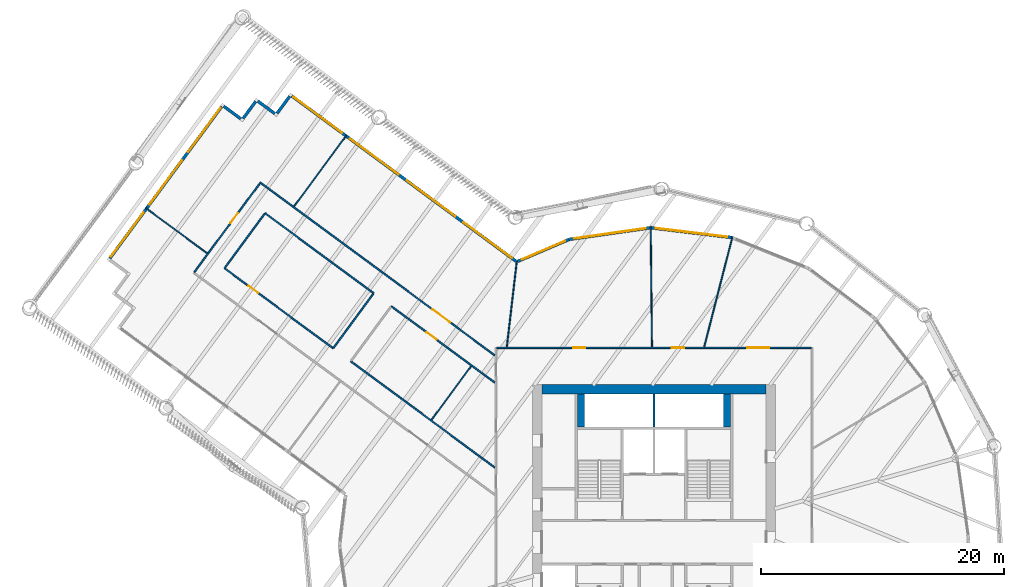
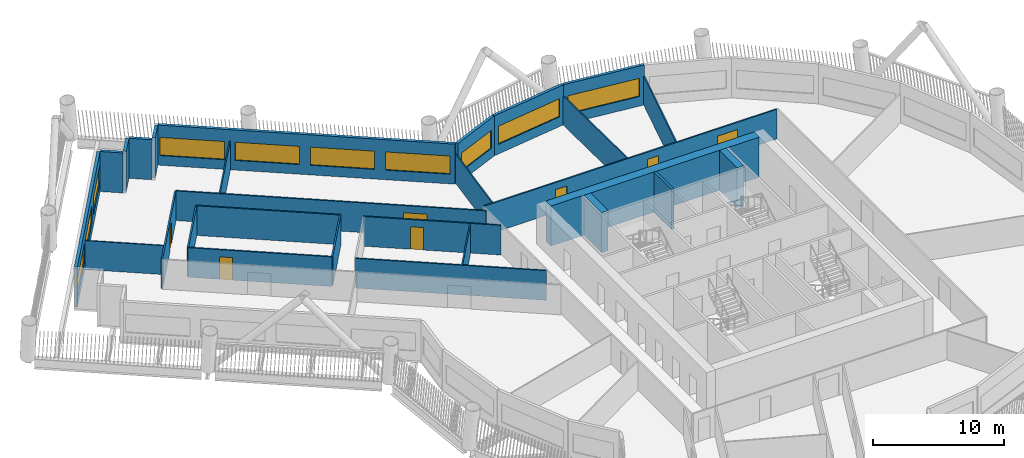
# One storey, part 7 of 23: 28 walls, 10 windows, 7 doors, 17 openings.
"""IFC4 building model written with IfcOpenShell, lengths in metres."""

import ifcopenshell
import ifcopenshell.guid

model = None  # the IFC model being written
_history = None  # IfcOwnerHistory: only IFC2X3 demands one
_inside = {}  # id of a spatial element -> (the spatial element, [elements in it])
_under = {}  # id of a project, library or spatial element -> (it, [spatial elements below it])
_declared = {}  # id of a project -> (the project, [libraries it declares])
_typed = {}  # id of a type object -> (the type object, [elements of that type])
_made_of = {}  # id of a material, layer set ... -> (it, [elements and type objects made of it])


def new_model(schema):
    """Start an empty IFC model of exactly this schema.

    Asked for "IFC4X3", IfcOpenShell would pick the latest addendum, in which some entities
    have other attributes; the version numbers below select the first issue.
    IFC2X3 requires an IfcOwnerHistory on every rooted entity: one is made here for all.
    """
    global model, _history
    if schema == "IFC4X3":
        model = ifcopenshell.file(schema_version=(4, 3, 0, 0))
    else:
        model = ifcopenshell.file(schema=schema)
    _inside.clear()
    _under.clear()
    _declared.clear()
    _typed.clear()
    _made_of.clear()
    _history = None
    if model.schema == "IFC2X3":
        org = make("IfcOrganization", Name="unknown")
        user = make(
            "IfcPersonAndOrganization",
            ThePerson=make("IfcPerson", FamilyName="unknown"),
            TheOrganization=org,
        )
        app = make(
            "IfcApplication",
            ApplicationDeveloper=org,
            Version="unknown",
            ApplicationFullName="unknown",
            ApplicationIdentifier="unknown",
        )
        _history = make(
            "IfcOwnerHistory",
            OwningUser=user,
            OwningApplication=app,
            ChangeAction="ADDED",
            CreationDate=0,
        )
    return model


def make(cls, **values):
    """One entity of the class cls with the attributes given. An attribute that is None is left unset."""
    return model.create_entity(
        cls, **{name: value for name, value in values.items() if value is not None}
    )


def rooted(cls, **values):
    """An entity with a GlobalId (a new one), such as an element, a storey or a relation."""
    return make(cls, GlobalId=ifcopenshell.guid.new(), OwnerHistory=_history, **values)


def si_unit(unit_type, name, prefix=None):
    """IfcSIUnit, for example si_unit("LENGTHUNIT", "METRE", prefix="MILLI")."""
    return make("IfcSIUnit", UnitType=unit_type, Prefix=prefix, Name=name)


def assignment(units):
    """IfcUnitAssignment: the units of a project."""
    return None if units is None else make("IfcUnitAssignment", Units=units)


def point(xyz):
    """IfcCartesianPoint."""
    return None if xyz is None else make("IfcCartesianPoint", Coordinates=xyz)


def direction(xyz):
    """IfcDirection."""
    return None if xyz is None else make("IfcDirection", DirectionRatios=xyz)


def frame(location, z_axis=None, x_axis=None):
    """IfcAxis2Placement3D, a coordinate frame: its origin and axes. An axis left out is left unset."""
    return make(
        "IfcAxis2Placement3D",
        Location=point(location),
        Axis=direction(z_axis),
        RefDirection=direction(x_axis),
    )


def frame_2d(location, x_axis=None):
    """IfcAxis2Placement2D, a coordinate frame in the plane: its origin and x axis."""
    return make(
        "IfcAxis2Placement2D", Location=point(location), RefDirection=direction(x_axis)
    )


def origin():
    """The frame at (0, 0, 0) with its axes left unset."""
    return frame((0.0, 0.0, 0.0))


def place(relative_to, where):
    """IfcLocalPlacement: puts the frame where relative to a parent placement (None: the world)."""
    return make(
        "IfcLocalPlacement", PlacementRelTo=relative_to, RelativePlacement=where
    )


def context(
    kind, dimensions, precision=None, world=None, true_north=None, identifier=None
):
    """IfcGeometricRepresentationContext, for example the 3D "Model" context."""
    return make(
        "IfcGeometricRepresentationContext",
        ContextIdentifier=identifier,
        ContextType=kind,
        CoordinateSpaceDimension=dimensions,
        Precision=precision,
        WorldCoordinateSystem=world,
        TrueNorth=true_north,
    )


def subcontext(parent, identifier, kind, view, scale=None):
    """IfcGeometricRepresentationSubContext, for example "Body" below "Model"."""
    return make(
        "IfcGeometricRepresentationSubContext",
        ContextIdentifier=identifier,
        ContextType=kind,
        ParentContext=parent,
        TargetScale=scale,
        TargetView=view,
    )


def project(units=None, contexts=None):
    """IfcProject with its units and contexts."""
    return rooted(
        "IfcProject",
        Name="project",
        RepresentationContexts=contexts,
        UnitsInContext=assignment(units),
    )


def spatial(cls, under=None, at=None, **own):
    """A site, building, storey or space (cls), placed at a placement, below another one or the project."""
    s = rooted(cls, ObjectPlacement=at, **own)
    if under is not None:
        _under.setdefault(under.id(), (under, []))[1].append(s)
    return s


def profile(cls, at=None, kind="AREA", **sizes):
    """A parametric profile (cls). Its sizes go by their IFC names, for example OverallWidth=200.0."""
    return make(cls, ProfileType=kind, Position=at, **sizes)


def rectangle(**sizes):
    """IfcRectangleProfileDef."""
    return profile("IfcRectangleProfileDef", **sizes)


def extrude(swept, where, along, depth):
    """IfcExtrudedAreaSolid: the profile swept, set in the frame where, extruded along a direction by depth."""
    return make(
        "IfcExtrudedAreaSolid",
        SweptArea=swept,
        Position=where,
        ExtrudedDirection=direction(along),
        Depth=depth,
    )


def shape(context_of_items, identifier, shape_type, items):
    """IfcShapeRepresentation: the items that make up one representation, for example the "Body"."""
    return make(
        "IfcShapeRepresentation",
        ContextOfItems=context_of_items,
        RepresentationIdentifier=identifier,
        RepresentationType=shape_type,
        Items=items,
    )


def material(Name=None, Category=None):
    """IfcMaterial."""
    return make("IfcMaterial", Name=Name, Category=Category)


def layer(
    of_material, thickness, ventilated=None, Name=None, Category=None, Priority=None
):
    """IfcMaterialLayer: one layer of a wall or slab, of a material (None: an air gap)."""
    return make(
        "IfcMaterialLayer",
        Material=of_material,
        LayerThickness=thickness,
        IsVentilated=ventilated,
        Name=Name,
        Category=Category,
        Priority=Priority,
    )


def layer_set(layers, Name=None):
    """IfcMaterialLayerSet."""
    return make("IfcMaterialLayerSet", MaterialLayers=layers, LayerSetName=Name)


def made_of(thing, what):
    """Note that an element or type object is made of a material, layer set ...; save() writes the relation."""
    if what is not None:
        _made_of.setdefault(what.id(), (what, []))[1].append(thing)
    return thing


def type_object(cls, material=None, **own):
    """A type object (cls), such as IfcWallType, which elements share."""
    return made_of(rooted(cls, **own), material)


def element(
    cls,
    number,
    at=None,
    inside=None,
    cuts=None,
    type_object=None,
    material=None,
    context=None,
    identifier="Body",
    shape_type=None,
    held_by="IfcProductDefinitionShape",
    body=None,
    shapes=None,
    **own,
):
    """One element of the class cls, such as IfcWall. Its Tag is "e" and its number.

    at: its placement. inside: the storey or other place that contains it. cuts: it is an
    opening in that element (IfcRelVoidsElement). A single representation is given by context,
    identifier, shape_type and body (its items); several are given by shapes. held_by: the class
    of the entity that holds the representations. save() writes the other relations.
    """
    e = rooted(cls, Tag="e%d" % number, ObjectPlacement=at, **own)
    if body is not None:
        shapes = [shape(context, identifier, shape_type, body)]
    if shapes is not None:
        e.Representation = make(held_by, Representations=shapes)
    if inside is not None:
        _inside.setdefault(inside.id(), (inside, []))[1].append(e)
    if cuts is not None:
        rooted(
            "IfcRelVoidsElement", RelatingBuildingElement=cuts, RelatedOpeningElement=e
        )
    if type_object is not None:
        _typed.setdefault(type_object.id(), (type_object, []))[1].append(e)
    return made_of(e, material)


def fill(opening, filler):
    """IfcRelFillsElement: the door or window that sits in an opening."""
    return rooted(
        "IfcRelFillsElement",
        RelatingOpeningElement=opening,
        RelatedBuildingElement=filler,
    )


def aggregate(whole, parts):
    """IfcRelAggregates: a whole, such as a stair, and the parts it consists of."""
    return rooted("IfcRelAggregates", RelatingObject=whole, RelatedObjects=parts)


def save(model, path):
    """Write the relations noted so far, then the file.

    IfcRelAggregates (storeys below a building ...), IfcRelContainedInSpatialStructure (elements
    in a storey), IfcRelDefinesByType, IfcRelAssociatesMaterial and IfcRelDeclares: one each for
    every whole, place, type object, material and project.
    """
    for whole, parts in _under.values():
        aggregate(whole, parts)
    for where, things in _inside.values():
        rooted(
            "IfcRelContainedInSpatialStructure",
            RelatedElements=things,
            RelatingStructure=where,
        )
    for kind, things in _typed.values():
        rooted("IfcRelDefinesByType", RelatedObjects=things, RelatingType=kind)
    for what, things in _made_of.values():
        rooted("IfcRelAssociatesMaterial", RelatedObjects=things, RelatingMaterial=what)
    for by, libraries in _declared.values():
        rooted("IfcRelDeclares", RelatingContext=by, RelatedDefinitions=libraries)
    model.write(path)


model = new_model("IFC4")

# Units and contexts
model_context = context("Model", 3, precision=1e-05, world=origin(), true_north=direction((0.0, 1.0)))
body_context = subcontext(model_context, "Body", "Model", "MODEL_VIEW")
ifc_project = project(units=[si_unit("LENGTHUNIT", "METRE"), si_unit("AREAUNIT", "SQUARE_METRE"), si_unit("VOLUMEUNIT", "CUBIC_METRE"), si_unit("PLANEANGLEUNIT", "RADIAN"), si_unit("MASSUNIT", "GRAM", prefix="KILO")], contexts=[model_context])

# Site, building, storey
site_placement = place(None, origin())
site = spatial("IfcSite", under=ifc_project, at=site_placement, CompositionType="ELEMENT")
building_placement = place(site_placement, origin())
building = spatial("IfcBuilding", under=site, at=building_placement, Name="Tarsis Ring Headquarters", CompositionType="ELEMENT")
storey_placement = place(building_placement, frame((0.0, 0.0, 124.0)))
storey = spatial("IfcBuildingStorey", under=building, at=storey_placement, Name="L28", CompositionType="ELEMENT", Elevation=124.0)

# Walls
ifc_material_1 = material(Name="Concrete C60/75", Category="concrete")
ifc_layer_1 = layer(ifc_material_1, 0.800048828125)
ifc_layer_set_1 = layer_set([ifc_layer_1], Name="Core wall 800 C60/75")
wall_type_1 = type_object("IfcWallType", Name="Core wall 800 C60/75", PredefinedType="SHEAR", material=ifc_layer_set_1)
wall_1_placement = place(storey_placement, frame((-9.199951171875, 12.60009765625, 0.0), z_axis=(0.0, 0.0, 1.0), x_axis=(1.0, 0.0, 0.0)))
element("IfcWall", 1, at=wall_1_placement, inside=storey, type_object=wall_type_1, Name="Core wall ON", PredefinedType="SHEAR", context=body_context, shape_type="SweptSolid", body=[
    extrude(rectangle(XDim=18.39990234375, YDim=0.800048828125, at=frame_2d((9.199951171875, 0.0))), origin(), (0.0, 0.0, 1.0), 3.739990234375),
])
ifc_material_2 = material(Name="Gypsum board on steel studs", Category="steel")
ifc_layer_2 = layer(ifc_material_2, 0.10009765625)
ifc_layer_set_2 = layer_set([ifc_layer_2], Name="FL partition 100 unrated")
wall_type_2 = type_object("IfcWallType", Name="FL partition 100 unrated", PredefinedType="PARTITIONING", material=ifc_layer_set_2)
wall_2_placement = place(storey_placement, frame((-0.271728515625, 25.9462890625, 0.0), z_axis=(0.0, 0.0, 1.0), x_axis=(0.010480723608, -0.999945075708, 0.0)))
element("IfcWall", 2, at=wall_2_placement, inside=storey, type_object=wall_type_2, Name="Partition PW3", PredefinedType="PARTITIONING", context=body_context, shape_type="SweptSolid", body=[
    extrude(rectangle(XDim=9.876708984375, YDim=0.10009765625, at=frame_2d((4.9384765625, 0.0))), origin(), (0.0, 0.0, 1.0), 2.699951171875),
])
wall_3_placement = place(storey_placement, frame((4.12548828125, 16.06787109375, 0.0), z_axis=(0.0, 0.0, 1.0), x_axis=(0.248687270836, 0.968583832884, 0.0)))
element("IfcWall", 3, at=wall_3_placement, inside=storey, type_object=wall_type_2, Name="Partition PW3", PredefinedType="PARTITIONING", context=body_context, shape_type="SweptSolid", body=[
    extrude(rectangle(XDim=9.358642578125, YDim=0.10009765625, at=frame_2d((4.67919921875, 0.0))), origin(), (0.0, 0.0, 1.0), 2.699951171875),
])
wall_4_placement = place(storey_placement, frame((-29.587646484375, 27.62841796875, 0.0), z_axis=(0.0, 0.0, 1.0), x_axis=(0.593424682293, 0.804889524373, 0.0)))
element("IfcWall", 4, at=wall_4_placement, inside=storey, type_object=wall_type_2, Name="Partition PW3", PredefinedType="PARTITIONING", context=body_context, shape_type="SweptSolid", body=[
    extrude(rectangle(XDim=7.27001953125, YDim=0.10009765625, at=frame_2d((3.635009765625, 0.0))), origin(), (0.0, 0.0, 1.0), 2.699951171875),
])
wall_5_placement = place(storey_placement, frame((-12.1005859375, 16.069091796875, 0.0), z_axis=(0.0, 0.0, 1.0), x_axis=(0.115808980002, 0.993271503745, 0.0)))
element("IfcWall", 5, at=wall_5_placement, inside=storey, type_object=wall_type_2, Name="Partition PW3", PredefinedType="PARTITIONING", context=body_context, shape_type="SweptSolid", body=[
    extrude(rectangle(XDim=7.108642578125, YDim=0.10009765625, at=frame_2d((3.55419921875, 0.0))), origin(), (0.0, 0.0, 1.0), 2.699951171875),
])
wall_6_placement = place(storey_placement, frame((-41.788818359375, 27.4921875, 0.0), z_axis=(0.0, 0.0, 1.0), x_axis=(0.804880896953, -0.593436383887, 0.0)))
element("IfcWall", 6, at=wall_6_placement, inside=storey, type_object=wall_type_2, Name="Partition PW3", PredefinedType="PARTITIONING", context=body_context, shape_type="SweptSolid", body=[
    extrude(rectangle(XDim=6.280029296875, YDim=0.10009765625, at=frame_2d((3.14013671875, 0.0))), origin(), (0.0, 0.0, 1.0), 2.699951171875),
])
wall_7_placement = place(storey_placement, frame((-18.287353515625, 10.078369140625, 0.0), z_axis=(0.0, 0.0, 1.0), x_axis=(0.593414811505, 0.804896801762, 0.0)))
element("IfcWall", 7, at=wall_7_placement, inside=storey, type_object=wall_type_2, Name="Partition PW3", PredefinedType="PARTITIONING", context=body_context, shape_type="SweptSolid", body=[
    extrude(rectangle(XDim=5.47998046875, YDim=0.10009765625, at=frame_2d((2.739990234375, 0.0))), origin(), (0.0, 0.0, 1.0), 2.699951171875),
])

# Wall, openings, doors
ifc_layer_3 = layer(ifc_material_2, 0.125)
ifc_layer_set_3 = layer_set([ifc_layer_3], Name="FL partition 125 EI 60 H2770")
wall_type_3 = type_object("IfcWallType", Name="FL partition 125 EI 60 H2770", PredefinedType="PARTITIONING", material=ifc_layer_set_3)
wall_8_placement = place(storey_placement, frame((-12.93994140625, 16.0, 0.0), z_axis=(0.0, 0.0, 1.0), x_axis=(1.0, 0.0, 0.0)))
wall_8 = element("IfcWall", 8, at=wall_8_placement, inside=storey, type_object=wall_type_3, Name="Partition PW1", PredefinedType="PARTITIONING", context=body_context, shape_type="SweptSolid", body=[
    extrude(rectangle(XDim=25.8798828125, YDim=0.125, at=frame_2d((12.93994140625, 0.0))), origin(), (0.0, 0.0, 1.0), 2.77001953125),
])
opening_1_placement = place(wall_8_placement, frame((6.300537109375, 0.0, 0.0)))
opening_1 = element("IfcOpeningElement", 9, at=opening_1_placement, cuts=wall_8, Name="Opening D28.04", PredefinedType="OPENING", context=body_context, shape_type="SweptSolid", body=[
    extrude(rectangle(XDim=1.0, YDim=2.10009765625, at=frame_2d((0.5, 1.050048828125))), frame((0.0, 0.072509765625, 0.0), z_axis=(0.0, -1.0, 0.0), x_axis=(1.0, 0.0, 0.0)), (0.0, 0.0, 1.0), 0.14501953125),
])
opening_2_placement = place(wall_8_placement, frame((14.410400390625, 0.0, 0.0)))
opening_2 = element("IfcOpeningElement", 10, at=opening_2_placement, cuts=wall_8, Name="Opening D28.05", PredefinedType="OPENING", context=body_context, shape_type="SweptSolid", body=[
    extrude(rectangle(XDim=1.0, YDim=2.10009765625, at=frame_2d((0.5, 1.050048828125))), frame((0.0, 0.072509765625, 0.0), z_axis=(0.0, -1.0, 0.0), x_axis=(1.0, 0.0, 0.0)), (0.0, 0.0, 1.0), 0.14501953125),
])
opening_3_placement = place(wall_8_placement, frame((20.593994140625, 0.0, 0.0)))
opening_3 = element("IfcOpeningElement", 11, at=opening_3_placement, cuts=wall_8, Name="Opening D28.06", PredefinedType="OPENING", context=body_context, shape_type="SweptSolid", body=[
    extrude(rectangle(XDim=1.800048828125, YDim=2.10009765625, at=frame_2d((0.89990234375, 1.050048828125))), frame((0.0, 0.072509765625, 0.0), z_axis=(0.0, -1.0, 0.0), x_axis=(1.0, 0.0, 0.0)), (0.0, 0.0, 1.0), 0.14501953125),
])
ifc_material_3 = material(Name="Fire-rated timber door leaf in steel frame", Category="steel")
door_type_1 = type_object("IfcDoorType", Name="FL door FD60-1000", OperationType="NOTDEFINED", PredefinedType="DOOR", material=ifc_material_3)
door_1_placement = place(opening_1_placement, origin())
door_1 = element("IfcDoor", 12, at=door_1_placement, inside=storey, type_object=door_type_1, Name="Door D28.04", OperationType="SINGLE_SWING_RIGHT", OverallHeight=2.10009765625, OverallWidth=1.0, PredefinedType="DOOR", context=body_context, shape_type="SweptSolid", body=[
    extrude(rectangle(XDim=1.0, YDim=2.10009765625, at=frame_2d((0.5, 1.050048828125))), frame((0.0, 0.02490234375, 0.0), z_axis=(0.0, -1.0, 0.0), x_axis=(1.0, 0.0, 0.0)), (0.0, 0.0, 1.0), 0.050048828125),
])
fill(opening_1, door_1)
door_2_placement = place(opening_2_placement, origin())
door_2 = element("IfcDoor", 13, at=door_2_placement, inside=storey, type_object=door_type_1, Name="Door D28.05", OperationType="SINGLE_SWING_LEFT", OverallHeight=2.10009765625, OverallWidth=1.0, PredefinedType="DOOR", context=body_context, shape_type="SweptSolid", body=[
    extrude(rectangle(XDim=1.0, YDim=2.10009765625, at=frame_2d((0.5, 1.050048828125))), frame((0.0, 0.02490234375, 0.0), z_axis=(0.0, -1.0, 0.0), x_axis=(1.0, 0.0, 0.0)), (0.0, 0.0, 1.0), 0.050048828125),
])
fill(opening_2, door_2)
door_type_2 = type_object("IfcDoorType", Name="FL door FD60-1800", OperationType="DOUBLE_DOOR_SINGLE_SWING", PredefinedType="DOOR", material=ifc_material_3)
door_3_placement = place(opening_3_placement, origin())
door_3 = element("IfcDoor", 14, at=door_3_placement, inside=storey, type_object=door_type_2, Name="Door D28.06", OperationType="DOUBLE_DOOR_SINGLE_SWING", OverallHeight=2.10009765625, OverallWidth=1.800048828125, PredefinedType="DOOR", context=body_context, shape_type="SweptSolid", body=[
    extrude(rectangle(XDim=1.800048828125, YDim=2.10009765625, at=frame_2d((0.89990234375, 1.050048828125))), frame((0.0, 0.02490234375, 0.0), z_axis=(0.0, -1.0, 0.0), x_axis=(1.0, 0.0, 0.0)), (0.0, 0.0, 1.0), 0.050048828125),
])
fill(opening_3, door_3)

# Wall, opening, door
wall_9_placement = place(storey_placement, frame((-32.357666015625, 29.58349609375, 0.0), z_axis=(0.0, 0.0, 1.0), x_axis=(0.804898682793, -0.593412260101, 0.0)))
wall_9 = element("IfcWall", 15, at=wall_9_placement, inside=storey, type_object=wall_type_3, Name="Partition PW1", PredefinedType="PARTITIONING", context=body_context, shape_type="SweptSolid", body=[
    extrude(rectangle(XDim=23.93994140625, YDim=0.125, at=frame_2d((11.969970703125, 0.0))), origin(), (0.0, 0.0, 1.0), 2.77001953125),
])
opening_4_placement = place(wall_9_placement, frame((17.574951171875, 0.0, 0.0)))
opening_4 = element("IfcOpeningElement", 16, at=opening_4_placement, cuts=wall_9, Name="Opening D28.03", PredefinedType="OPENING", context=body_context, shape_type="SweptSolid", body=[
    extrude(rectangle(XDim=1.800048828125, YDim=2.10009765625, at=frame_2d((0.89990234375, 1.050048828125))), frame((0.0, 0.072509765625, 0.0), z_axis=(0.0, -1.0, 0.0), x_axis=(1.0, 0.0, 0.0)), (0.0, 0.0, 1.0), 0.14501953125),
])
door_4_placement = place(opening_4_placement, origin())
door_4 = element("IfcDoor", 17, at=door_4_placement, inside=storey, type_object=door_type_2, Name="Door D28.03", OperationType="DOUBLE_DOOR_SINGLE_SWING", OverallHeight=2.10009765625, OverallWidth=1.800048828125, PredefinedType="DOOR", context=body_context, shape_type="SweptSolid", body=[
    extrude(rectangle(XDim=1.800048828125, YDim=2.10009765625, at=frame_2d((0.89990234375, 1.050048828125))), frame((0.0, 0.02490234375, 0.0), z_axis=(0.0, -1.0, 0.0), x_axis=(1.0, 0.0, 0.0)), (0.0, 0.0, 1.0), 0.050048828125),
])
fill(opening_4, door_4)

# Walls
wall_10_placement = place(storey_placement, frame((-24.928955078125, 14.88818359375, 0.0), z_axis=(0.0, 0.0, 1.0), x_axis=(0.804898130306, -0.593413009489, 0.0)))
element("IfcWall", 18, at=wall_10_placement, inside=storey, type_object=wall_type_3, Name="Partition PW1", PredefinedType="PARTITIONING", context=body_context, shape_type="SweptSolid", body=[
    extrude(rectangle(XDim=14.710693359375, YDim=0.125, at=frame_2d((7.35546875, 0.0))), origin(), (0.0, 0.0, 1.0), 2.77001953125),
])
wall_11_placement = place(storey_placement, frame((-31.97705078125, 27.066650390625, 0.0), z_axis=(0.0, 0.0, 1.0), x_axis=(0.804895487629, -0.593416593967, 0.0)))
element("IfcWall", 19, at=wall_11_placement, inside=storey, type_object=wall_type_3, Name="Partition PW1", PredefinedType="PARTITIONING", context=body_context, shape_type="SweptSolid", body=[
    extrude(rectangle(XDim=11.10009765625, YDim=0.125, at=frame_2d((5.550048828125, 0.0))), origin(), (0.0, 0.0, 1.0), 2.77001953125),
])

# Wall, opening, door
wall_12_placement = place(storey_placement, frame((-35.31201171875, 22.543212890625, 0.0), z_axis=(0.0, 0.0, 1.0), x_axis=(0.804895487629, -0.593416593967, 0.0)))
wall_12 = element("IfcWall", 20, at=wall_12_placement, inside=storey, type_object=wall_type_3, Name="Partition PW1", PredefinedType="PARTITIONING", context=body_context, shape_type="SweptSolid", body=[
    extrude(rectangle(XDim=11.10009765625, YDim=0.125, at=frame_2d((5.550048828125, 0.0))), origin(), (0.0, 0.0, 1.0), 2.77001953125),
])
opening_5_placement = place(wall_12_placement, frame((2.44140625, 0.0, 0.0)))
opening_5 = element("IfcOpeningElement", 21, at=opening_5_placement, cuts=wall_12, Name="Opening D28.21", PredefinedType="OPENING", context=body_context, shape_type="SweptSolid", body=[
    extrude(rectangle(XDim=1.0, YDim=2.10009765625, at=frame_2d((0.5, 1.050048828125))), frame((0.0, 0.072509765625, 0.0), z_axis=(0.0, -1.0, 0.0), x_axis=(1.0, 0.0, 0.0)), (0.0, 0.0, 1.0), 0.14501953125),
])
door_5_placement = place(opening_5_placement, origin())
door_5 = element("IfcDoor", 22, at=door_5_placement, inside=storey, type_object=door_type_1, Name="Door D28.21", OperationType="SINGLE_SWING_LEFT", OverallHeight=2.10009765625, OverallWidth=1.0, PredefinedType="DOOR", context=body_context, shape_type="SweptSolid", body=[
    extrude(rectangle(XDim=1.0, YDim=2.10009765625, at=frame_2d((0.5, 1.050048828125))), frame((0.0, 0.02490234375, 0.0), z_axis=(0.0, -1.0, 0.0), x_axis=(1.0, 0.0, 0.0)), (0.0, 0.0, 1.0), 0.050048828125),
])
fill(opening_5, door_5)

wall_13_placement = place(storey_placement, frame((-21.593994140625, 19.41162109375, 0.0), z_axis=(0.0, 0.0, 1.0), x_axis=(0.804899602203, -0.59341101302, 0.0)))
wall_13 = element("IfcWall", 23, at=wall_13_placement, inside=storey, type_object=wall_type_3, Name="Partition PW1", PredefinedType="PARTITIONING", context=body_context, shape_type="SweptSolid", body=[
    extrude(rectangle(XDim=10.5673828125, YDim=0.125, at=frame_2d((5.28369140625, 0.0))), origin(), (0.0, 0.0, 1.0), 2.77001953125),
])
opening_6_placement = place(wall_13_placement, frame((3.6005859375, 0.0, 0.0)))
opening_6 = element("IfcOpeningElement", 24, at=opening_6_placement, cuts=wall_13, Name="Opening D28.17", PredefinedType="OPENING", context=body_context, shape_type="SweptSolid", body=[
    extrude(rectangle(XDim=1.0, YDim=2.10009765625, at=frame_2d((0.5, 1.050048828125))), frame((0.0, 0.072509765625, 0.0), z_axis=(0.0, -1.0, 0.0), x_axis=(1.0, 0.0, 0.0)), (0.0, 0.0, 1.0), 0.14501953125),
])
door_6_placement = place(opening_6_placement, origin())
door_6 = element("IfcDoor", 25, at=door_6_placement, inside=storey, type_object=door_type_1, Name="Door D28.17", OperationType="SINGLE_SWING_LEFT", OverallHeight=2.10009765625, OverallWidth=1.0, PredefinedType="DOOR", context=body_context, shape_type="SweptSolid", body=[
    extrude(rectangle(XDim=1.0, YDim=2.10009765625, at=frame_2d((0.5, 1.050048828125))), frame((0.0, 0.02490234375, 0.0), z_axis=(0.0, -1.0, 0.0), x_axis=(1.0, 0.0, 0.0)), (0.0, 0.0, 1.0), 0.050048828125),
])
fill(opening_6, door_6)

wall_14_placement = place(storey_placement, frame((-37.79345703125, 22.210693359375, 0.0), z_axis=(0.0, 0.0, 1.0), x_axis=(0.593412245787, 0.804898693346, 0.0)))
wall_14 = element("IfcWall", 26, at=wall_14_placement, inside=storey, type_object=wall_type_3, Name="Partition PW1", PredefinedType="PARTITIONING", context=body_context, shape_type="SweptSolid", body=[
    extrude(rectangle(XDim=9.10009765625, YDim=0.125, at=frame_2d((4.550048828125, 0.0))), origin(), (0.0, 0.0, 1.0), 2.77001953125),
])
opening_7_placement = place(wall_14_placement, frame((5.021728515625, 0.0, 0.0)))
opening_7 = element("IfcOpeningElement", 27, at=opening_7_placement, cuts=wall_14, Name="Opening D28.02", PredefinedType="OPENING", context=body_context, shape_type="SweptSolid", body=[
    extrude(rectangle(XDim=1.0, YDim=2.10009765625, at=frame_2d((0.5, 1.050048828125))), frame((0.0, 0.072509765625, 0.0), z_axis=(0.0, -1.0, 0.0), x_axis=(1.0, 0.0, 0.0)), (0.0, 0.0, 1.0), 0.14501953125),
])
door_7_placement = place(opening_7_placement, origin())
door_7 = element("IfcDoor", 28, at=door_7_placement, inside=storey, type_object=door_type_1, Name="Door D28.02", OperationType="SINGLE_SWING_RIGHT", OverallHeight=2.10009765625, OverallWidth=1.0, PredefinedType="DOOR", context=body_context, shape_type="SweptSolid", body=[
    extrude(rectangle(XDim=1.0, YDim=2.10009765625, at=frame_2d((0.5, 1.050048828125))), frame((0.0, 0.02490234375, 0.0), z_axis=(0.0, -1.0, 0.0), x_axis=(1.0, 0.0, 0.0)), (0.0, 0.0, 1.0), 0.050048828125),
])
fill(opening_7, door_7)

# Walls
for number, where, z_axis, x_axis, name in (
    (29, (-35.276611328125, 22.591552734375, 0.0), (0.0, 0.0, 1.0), (0.593445823248, 0.804873937253, 0.0), "Partition PW1"),
    (30, (-26.342041015625, 16.00439453125, 0.0), (0.0, 0.0, 1.0), (0.593395863255, 0.804910771125, 0.0), "Partition PW1"),
):
    element("IfcWall", number, at=place(storey_placement, frame(where, z_axis=z_axis, x_axis=x_axis)), inside=storey, type_object=wall_type_3, Name=name, PredefinedType="PARTITIONING", context=body_context, shape_type="SweptSolid", body=[
        extrude(rectangle(XDim=5.5, YDim=0.125, at=frame_2d((2.75, 0.0))), origin(), (0.0, 0.0, 1.0), 2.77001953125),
    ])

# Wall, opening, window
ifc_material_4 = material(Name="Terracotta clad insulated panel wall", Category="masonry")
ifc_layer_4 = layer(ifc_material_4, 0.25)
ifc_layer_set_4 = layer_set([ifc_layer_4], Name="Facade wall terracotta panel 250")
wall_type_4 = type_object("IfcWallType", Name="Facade wall terracotta panel 250", PredefinedType="STANDARD", material=ifc_layer_set_4)
wall_15_placement = place(storey_placement, frame((6.418212890625, 25.06298828125, 0.0), z_axis=(0.0, 0.0, 1.0), x_axis=(-0.992755329253, 0.120153469529, 0.0)))
wall_15 = element("IfcWall", 31, at=wall_15_placement, inside=storey, type_object=wall_type_4, Name="External wall L28-28", PredefinedType="STANDARD", context=body_context, shape_type="SweptSolid", body=[
    extrude(rectangle(XDim=6.721435546875, YDim=0.25, at=frame_2d((3.36083984375, 0.0))), origin(), (0.0, 0.0, 1.0), 3.739990234375),
])
opening_8_placement = place(wall_15_placement, frame((0.3857421875, 0.0, 0.89990234375)))
opening_8 = element("IfcOpeningElement", 32, at=opening_8_placement, cuts=wall_15, Name="Opening WN07", PredefinedType="OPENING", context=body_context, shape_type="SweptSolid", body=[
    extrude(rectangle(XDim=5.949951171875, YDim=1.699951171875, at=frame_2d((2.97509765625, 0.85009765625))), frame((0.0, 0.135009765625, 0.0), z_axis=(0.0, -1.0, 0.0), x_axis=(1.0, 0.0, 0.0)), (0.0, 0.0, 1.0), 0.27001953125),
])
ifc_material_5 = material(Name="Aluminium framed double glazing", Category="aluminium")
window_type_1 = type_object("IfcWindowType", Name="Facade window 5950 x 1700", PartitioningType="SINGLE_PANEL", PredefinedType="WINDOW", material=ifc_material_5)
window_1_placement = place(opening_8_placement, origin())
window_1 = element("IfcWindow", 33, at=window_1_placement, inside=storey, type_object=window_type_1, Name="Window L28-28.1", OverallHeight=1.699951171875, OverallWidth=5.949951171875, PartitioningType="SINGLE_PANEL", PredefinedType="WINDOW", context=body_context, shape_type="SweptSolid", body=[
    extrude(rectangle(XDim=5.949951171875, YDim=1.699951171875, at=frame_2d((2.97509765625, 0.85009765625))), frame((0.0, 0.030029296875, 0.0), z_axis=(0.0, -1.0, 0.0), x_axis=(1.0, 0.0, 0.0)), (0.0, 0.0, 1.0), 0.06005859375),
])
fill(opening_8, window_1)

wall_16_placement = place(storey_placement, frame((-0.287353515625, 25.8701171875, 0.0), z_axis=(0.0, 0.0, 1.0), x_axis=(-0.990024180815, -0.140897556405, 0.0)))
wall_16 = element("IfcWall", 34, at=wall_16_placement, inside=storey, type_object=wall_type_4, Name="External wall L28-29", PredefinedType="STANDARD", context=body_context, shape_type="SweptSolid", body=[
    extrude(rectangle(XDim=6.721435546875, YDim=0.25, at=frame_2d((3.36083984375, 0.0))), origin(), (0.0, 0.0, 1.0), 3.739990234375),
])
opening_9_placement = place(wall_16_placement, frame((0.3857421875, 0.0, 0.89990234375)))
opening_9 = element("IfcOpeningElement", 35, at=opening_9_placement, cuts=wall_16, Name="Opening WN07", PredefinedType="OPENING", context=body_context, shape_type="SweptSolid", body=[
    extrude(rectangle(XDim=5.949951171875, YDim=1.699951171875, at=frame_2d((2.97509765625, 0.85009765625))), frame((0.0, 0.135009765625, 0.0), z_axis=(0.0, -1.0, 0.0), x_axis=(1.0, 0.0, 0.0)), (0.0, 0.0, 1.0), 0.27001953125),
])
window_2_placement = place(opening_9_placement, origin())
window_2 = element("IfcWindow", 36, at=window_2_placement, inside=storey, type_object=window_type_1, Name="Window L28-29.1", OverallHeight=1.699951171875, OverallWidth=5.949951171875, PartitioningType="SINGLE_PANEL", PredefinedType="WINDOW", context=body_context, shape_type="SweptSolid", body=[
    extrude(rectangle(XDim=5.949951171875, YDim=1.699951171875, at=frame_2d((2.97509765625, 0.85009765625))), frame((0.0, 0.030029296875, 0.0), z_axis=(0.0, -1.0, 0.0), x_axis=(1.0, 0.0, 0.0)), (0.0, 0.0, 1.0), 0.06005859375),
])
fill(opening_9, window_2)

wall_17_placement = place(storey_placement, frame((-6.97314453125, 24.914306640625, 0.0), z_axis=(0.0, 0.0, 1.0), x_axis=(-0.919819128982, -0.392342669052, 0.0)))
wall_17 = element("IfcWall", 37, at=wall_17_placement, inside=storey, type_object=wall_type_4, Name="External wall L28-30", PredefinedType="STANDARD", context=body_context, shape_type="SweptSolid", body=[
    extrude(rectangle(XDim=4.617919921875, YDim=0.25, at=frame_2d((2.30908203125, 0.0))), origin(), (0.0, 0.0, 1.0), 3.739990234375),
])
opening_10_placement = place(wall_17_placement, frame((0.367431640625, 0.0, 0.89990234375)))
opening_10 = element("IfcOpeningElement", 38, at=opening_10_placement, cuts=wall_17, Name="Opening WN02", PredefinedType="OPENING", context=body_context, shape_type="SweptSolid", body=[
    extrude(rectangle(XDim=3.85009765625, YDim=1.699951171875, at=frame_2d((1.925048828125, 0.85009765625))), frame((0.0, 0.135009765625, 0.0), z_axis=(0.0, -1.0, 0.0), x_axis=(1.0, 0.0, 0.0)), (0.0, 0.0, 1.0), 0.27001953125),
])
window_type_2 = type_object("IfcWindowType", Name="Facade window 3850 x 1700", PartitioningType="SINGLE_PANEL", PredefinedType="WINDOW", material=ifc_material_5)
window_3_placement = place(opening_10_placement, origin())
window_3 = element("IfcWindow", 39, at=window_3_placement, inside=storey, type_object=window_type_2, Name="Window L28-30.1", OverallHeight=1.699951171875, OverallWidth=3.85009765625, PartitioningType="SINGLE_PANEL", PredefinedType="WINDOW", context=body_context, shape_type="SweptSolid", body=[
    extrude(rectangle(XDim=3.85009765625, YDim=1.699951171875, at=frame_2d((1.925048828125, 0.85009765625))), frame((0.0, 0.030029296875, 0.0), z_axis=(0.0, -1.0, 0.0), x_axis=(1.0, 0.0, 0.0)), (0.0, 0.0, 1.0), 0.06005859375),
])
fill(opening_10, window_3)

# Wall, openings, windows
wall_18_placement = place(storey_placement, frame((-11.343994140625, 23.116943359375, 0.0), z_axis=(0.0, 0.0, 1.0), x_axis=(-0.804893161869, 0.593419748556, 0.0)))
wall_18 = element("IfcWall", 40, at=wall_18_placement, inside=storey, type_object=wall_type_4, Name="External wall L28-31", PredefinedType="STANDARD", context=body_context, shape_type="SweptSolid", body=[
    extrude(rectangle(XDim=22.9013671875, YDim=0.25, at=frame_2d((11.45068359375, 0.0))), origin(), (0.0, 0.0, 1.0), 3.739990234375),
])
opening_11_placement = place(wall_18_placement, frame((0.4189453125, 0.0, 0.89990234375)))
opening_11 = element("IfcOpeningElement", 41, at=opening_11_placement, cuts=wall_18, Name="Opening WN05", PredefinedType="OPENING", context=body_context, shape_type="SweptSolid", body=[
    extrude(rectangle(XDim=4.949951171875, YDim=1.699951171875, at=frame_2d((2.47509765625, 0.85009765625))), frame((0.0, 0.135009765625, 0.0), z_axis=(0.0, -1.0, 0.0), x_axis=(1.0, 0.0, 0.0)), (0.0, 0.0, 1.0), 0.27001953125),
])
opening_12_placement = place(wall_18_placement, frame((6.206787109375, 0.0, 0.89990234375)))
opening_12 = element("IfcOpeningElement", 42, at=opening_12_placement, cuts=wall_18, Name="Opening WN05", PredefinedType="OPENING", context=body_context, shape_type="SweptSolid", body=[
    extrude(rectangle(XDim=4.949951171875, YDim=1.699951171875, at=frame_2d((2.47509765625, 0.85009765625))), frame((0.0, 0.135009765625, 0.0), z_axis=(0.0, -1.0, 0.0), x_axis=(1.0, 0.0, 0.0)), (0.0, 0.0, 1.0), 0.27001953125),
])
opening_13_placement = place(wall_18_placement, frame((11.99462890625, 0.0, 0.89990234375)))
opening_13 = element("IfcOpeningElement", 43, at=opening_13_placement, cuts=wall_18, Name="Opening WN05", PredefinedType="OPENING", context=body_context, shape_type="SweptSolid", body=[
    extrude(rectangle(XDim=4.949951171875, YDim=1.699951171875, at=frame_2d((2.47509765625, 0.85009765625))), frame((0.0, 0.135009765625, 0.0), z_axis=(0.0, -1.0, 0.0), x_axis=(1.0, 0.0, 0.0)), (0.0, 0.0, 1.0), 0.27001953125),
])
opening_14_placement = place(wall_18_placement, frame((17.782470703125, 0.0, 0.89990234375)))
opening_14 = element("IfcOpeningElement", 44, at=opening_14_placement, cuts=wall_18, Name="Opening WN05", PredefinedType="OPENING", context=body_context, shape_type="SweptSolid", body=[
    extrude(rectangle(XDim=4.949951171875, YDim=1.699951171875, at=frame_2d((2.47509765625, 0.85009765625))), frame((0.0, 0.135009765625, 0.0), z_axis=(0.0, -1.0, 0.0), x_axis=(1.0, 0.0, 0.0)), (0.0, 0.0, 1.0), 0.27001953125),
])
window_type_3 = type_object("IfcWindowType", Name="Facade window 4950 x 1700", PartitioningType="SINGLE_PANEL", PredefinedType="WINDOW", material=ifc_material_5)
window_4_placement = place(opening_11_placement, origin())
window_4 = element("IfcWindow", 45, at=window_4_placement, inside=storey, type_object=window_type_3, Name="Window L28-31.1", OverallHeight=1.699951171875, OverallWidth=4.949951171875, PartitioningType="SINGLE_PANEL", PredefinedType="WINDOW", context=body_context, shape_type="SweptSolid", body=[
    extrude(rectangle(XDim=4.949951171875, YDim=1.699951171875, at=frame_2d((2.47509765625, 0.85009765625))), frame((0.0, 0.030029296875, 0.0), z_axis=(0.0, -1.0, 0.0), x_axis=(1.0, 0.0, 0.0)), (0.0, 0.0, 1.0), 0.06005859375),
])
fill(opening_11, window_4)
window_5_placement = place(opening_12_placement, origin())
window_5 = element("IfcWindow", 46, at=window_5_placement, inside=storey, type_object=window_type_3, Name="Window L28-31.2", OverallHeight=1.699951171875, OverallWidth=4.949951171875, PartitioningType="SINGLE_PANEL", PredefinedType="WINDOW", context=body_context, shape_type="SweptSolid", body=[
    extrude(rectangle(XDim=4.949951171875, YDim=1.699951171875, at=frame_2d((2.47509765625, 0.85009765625))), frame((0.0, 0.030029296875, 0.0), z_axis=(0.0, -1.0, 0.0), x_axis=(1.0, 0.0, 0.0)), (0.0, 0.0, 1.0), 0.06005859375),
])
fill(opening_12, window_5)
window_6_placement = place(opening_13_placement, origin())
window_6 = element("IfcWindow", 47, at=window_6_placement, inside=storey, type_object=window_type_3, Name="Window L28-31.3", OverallHeight=1.699951171875, OverallWidth=4.949951171875, PartitioningType="SINGLE_PANEL", PredefinedType="WINDOW", context=body_context, shape_type="SweptSolid", body=[
    extrude(rectangle(XDim=4.949951171875, YDim=1.699951171875, at=frame_2d((2.47509765625, 0.85009765625))), frame((0.0, 0.030029296875, 0.0), z_axis=(0.0, -1.0, 0.0), x_axis=(1.0, 0.0, 0.0)), (0.0, 0.0, 1.0), 0.06005859375),
])
fill(opening_13, window_6)
window_7_placement = place(opening_14_placement, origin())
window_7 = element("IfcWindow", 48, at=window_7_placement, inside=storey, type_object=window_type_3, Name="Window L28-31.4", OverallHeight=1.699951171875, OverallWidth=4.949951171875, PartitioningType="SINGLE_PANEL", PredefinedType="WINDOW", context=body_context, shape_type="SweptSolid", body=[
    extrude(rectangle(XDim=4.949951171875, YDim=1.699951171875, at=frame_2d((2.47509765625, 0.85009765625))), frame((0.0, 0.030029296875, 0.0), z_axis=(0.0, -1.0, 0.0), x_axis=(1.0, 0.0, 0.0)), (0.0, 0.0, 1.0), 0.06005859375),
])
fill(opening_14, window_7)

# Walls
wall_19_placement = place(storey_placement, frame((-29.951904296875, 36.6806640625, 0.0), z_axis=(0.0, 0.0, 1.0), x_axis=(-0.593327518113, -0.804961152013, 0.0)))
element("IfcWall", 49, at=wall_19_placement, inside=storey, type_object=wall_type_4, Name="External wall L28-32", PredefinedType="STANDARD", context=body_context, shape_type="SweptSolid", body=[
    extrude(rectangle(XDim=1.75, YDim=0.25, at=frame_2d((0.875, 0.0))), origin(), (0.0, 0.0, 1.0), 3.739990234375),
])
wall_20_placement = place(storey_placement, frame((-31.1650390625, 35.24560546875, 0.0), z_axis=(0.0, 0.0, 1.0), x_axis=(-0.804894522652, 0.593417902835, 0.0)))
element("IfcWall", 50, at=wall_20_placement, inside=storey, type_object=wall_type_4, Name="External wall L28-33", PredefinedType="STANDARD", context=body_context, shape_type="SweptSolid", body=[
    extrude(rectangle(XDim=1.750244140625, YDim=0.25, at=frame_2d((0.875, 0.0))), origin(), (0.0, 0.0, 1.0), 3.739990234375),
])
wall_21_placement = place(storey_placement, frame((-32.74853515625, 36.257568359375, 0.0), z_axis=(0.0, 0.0, 1.0), x_axis=(-0.593394153365, -0.804912031686, 0.0)))
element("IfcWall", 51, at=wall_21_placement, inside=storey, type_object=wall_type_4, Name="External wall L28-34", PredefinedType="STANDARD", context=body_context, shape_type="SweptSolid", body=[
    extrude(rectangle(XDim=1.749755859375, YDim=0.25, at=frame_2d((0.875, 0.0))), origin(), (0.0, 0.0, 1.0), 3.739990234375),
])
wall_22_placement = place(storey_placement, frame((-33.961669921875, 34.82275390625, 0.0), z_axis=(0.0, 0.0, 1.0), x_axis=(-0.804961152013, 0.593327518113, 0.0)))
element("IfcWall", 52, at=wall_22_placement, inside=storey, type_object=wall_type_4, Name="External wall L28-35", PredefinedType="STANDARD", context=body_context, shape_type="SweptSolid", body=[
    extrude(rectangle(XDim=1.75, YDim=0.25, at=frame_2d((0.875, 0.0))), origin(), (0.0, 0.0, 1.0), 3.739990234375),
])

# Wall, openings, windows
wall_23_placement = place(storey_placement, frame((-35.545166015625, 35.834716796875, 0.0), z_axis=(0.0, 0.0, 1.0), x_axis=(-0.593419841136, -0.804893093613, 0.0)))
wall_23 = element("IfcWall", 53, at=wall_23_placement, inside=storey, type_object=wall_type_4, Name="External wall L28-36", PredefinedType="STANDARD", context=body_context, shape_type="SweptSolid", body=[
    extrude(rectangle(XDim=15.5, YDim=0.25, at=frame_2d((7.75, 0.0))), origin(), (0.0, 0.0, 1.0), 3.739990234375),
])
opening_15_placement = place(wall_23_placement, frame((0.166748046875, 0.0, 0.89990234375)))
opening_15 = element("IfcOpeningElement", 54, at=opening_15_placement, cuts=wall_23, Name="Opening WN04", PredefinedType="OPENING", context=body_context, shape_type="SweptSolid", body=[
    extrude(rectangle(XDim=4.5, YDim=1.699951171875, at=frame_2d((2.25, 0.85009765625))), frame((0.0, 0.135009765625, 0.0), z_axis=(0.0, -1.0, 0.0), x_axis=(1.0, 0.0, 0.0)), (0.0, 0.0, 1.0), 0.27001953125),
])
opening_16_placement = place(wall_23_placement, frame((5.5, 0.0, 0.89990234375)))
opening_16 = element("IfcOpeningElement", 55, at=opening_16_placement, cuts=wall_23, Name="Opening WN04", PredefinedType="OPENING", context=body_context, shape_type="SweptSolid", body=[
    extrude(rectangle(XDim=4.5, YDim=1.699951171875, at=frame_2d((2.25, 0.85009765625))), frame((0.0, 0.135009765625, 0.0), z_axis=(0.0, -1.0, 0.0), x_axis=(1.0, 0.0, 0.0)), (0.0, 0.0, 1.0), 0.27001953125),
])
opening_17_placement = place(wall_23_placement, frame((10.833251953125, 0.0, 0.89990234375)))
opening_17 = element("IfcOpeningElement", 56, at=opening_17_placement, cuts=wall_23, Name="Opening WN04", PredefinedType="OPENING", context=body_context, shape_type="SweptSolid", body=[
    extrude(rectangle(XDim=4.5, YDim=1.699951171875, at=frame_2d((2.25, 0.85009765625))), frame((0.0, 0.135009765625, 0.0), z_axis=(0.0, -1.0, 0.0), x_axis=(1.0, 0.0, 0.0)), (0.0, 0.0, 1.0), 0.27001953125),
])
window_type_4 = type_object("IfcWindowType", Name="Facade window 4500 x 1700", PartitioningType="SINGLE_PANEL", PredefinedType="WINDOW", material=ifc_material_5)
window_8_placement = place(opening_15_placement, origin())
window_8 = element("IfcWindow", 57, at=window_8_placement, inside=storey, type_object=window_type_4, Name="Window L28-36.1", OverallHeight=1.699951171875, OverallWidth=4.5, PartitioningType="SINGLE_PANEL", PredefinedType="WINDOW", context=body_context, shape_type="SweptSolid", body=[
    extrude(rectangle(XDim=4.5, YDim=1.699951171875, at=frame_2d((2.25, 0.85009765625))), frame((0.0, 0.030029296875, 0.0), z_axis=(0.0, -1.0, 0.0), x_axis=(1.0, 0.0, 0.0)), (0.0, 0.0, 1.0), 0.06005859375),
])
fill(opening_15, window_8)
window_9_placement = place(opening_16_placement, origin())
window_9 = element("IfcWindow", 58, at=window_9_placement, inside=storey, type_object=window_type_4, Name="Window L28-36.2", OverallHeight=1.699951171875, OverallWidth=4.5, PartitioningType="SINGLE_PANEL", PredefinedType="WINDOW", context=body_context, shape_type="SweptSolid", body=[
    extrude(rectangle(XDim=4.5, YDim=1.699951171875, at=frame_2d((2.25, 0.85009765625))), frame((0.0, 0.030029296875, 0.0), z_axis=(0.0, -1.0, 0.0), x_axis=(1.0, 0.0, 0.0)), (0.0, 0.0, 1.0), 0.06005859375),
])
fill(opening_16, window_9)
window_10_placement = place(opening_17_placement, origin())
window_10 = element("IfcWindow", 59, at=window_10_placement, inside=storey, type_object=window_type_4, Name="Window L28-36.3", OverallHeight=1.699951171875, OverallWidth=4.5, PartitioningType="SINGLE_PANEL", PredefinedType="WINDOW", context=body_context, shape_type="SweptSolid", body=[
    extrude(rectangle(XDim=4.5, YDim=1.699951171875, at=frame_2d((2.25, 0.85009765625))), frame((0.0, 0.030029296875, 0.0), z_axis=(0.0, -1.0, 0.0), x_axis=(1.0, 0.0, 0.0)), (0.0, 0.0, 1.0), 0.06005859375),
])
fill(opening_17, window_10)

# Walls
ifc_material_6 = material(Name="Concrete C32/40", Category="concrete")
ifc_layer_5 = layer(ifc_material_6, 0.60009765625)
ifc_layer_set_5 = layer_set([ifc_layer_5], Name="Shaft end wall 600 C32/40")
wall_type_5 = type_object("IfcWallType", Name="Shaft end wall 600 C32/40", PredefinedType="SOLIDWALL", material=ifc_layer_set_5)
for number, where, z_axis, x_axis, name in (
    (60, (-6.0, 9.5, 0.0), (0.0, 0.0, 1.0), (0.0, 1.0, 0.0), "Core shaft wall NNE1"),
    (61, (6.0, 9.5, 0.0), (0.0, 0.0, 1.0), (0.0, 1.0, 0.0), "Core shaft wall NNE2"),
):
    element("IfcWall", number, at=place(storey_placement, frame(where, z_axis=z_axis, x_axis=x_axis)), inside=storey, type_object=wall_type_5, Name=name, PredefinedType="SOLIDWALL", context=body_context, shape_type="SweptSolid", body=[
        extrude(rectangle(XDim=2.699951171875, YDim=0.60009765625, at=frame_2d((1.35009765625, 0.0))), origin(), (0.0, 0.0, 1.0), 3.739990234375),
    ])
ifc_layer_6 = layer(ifc_material_6, 0.199951171875)
ifc_layer_set_6 = layer_set([ifc_layer_6], Name="Shaft wall 200 C32/40")
wall_type_6 = type_object("IfcWallType", Name="Shaft wall 200 C32/40", PredefinedType="SOLIDWALL", material=ifc_layer_set_6)
wall_24_placement = place(storey_placement, frame((0.0, 9.5, 0.0), z_axis=(0.0, 0.0, 1.0), x_axis=(0.0, 1.0, 0.0)))
element("IfcWall", 62, at=wall_24_placement, inside=storey, type_object=wall_type_6, Name="Core shaft wall ND2", PredefinedType="SOLIDWALL", context=body_context, shape_type="SweptSolid", body=[
    extrude(rectangle(XDim=2.699951171875, YDim=0.199951171875, at=frame_2d((1.35009765625, 0.0))), origin(), (0.0, 0.0, 1.0), 3.739990234375),
])

save(model, "model.ifc")
